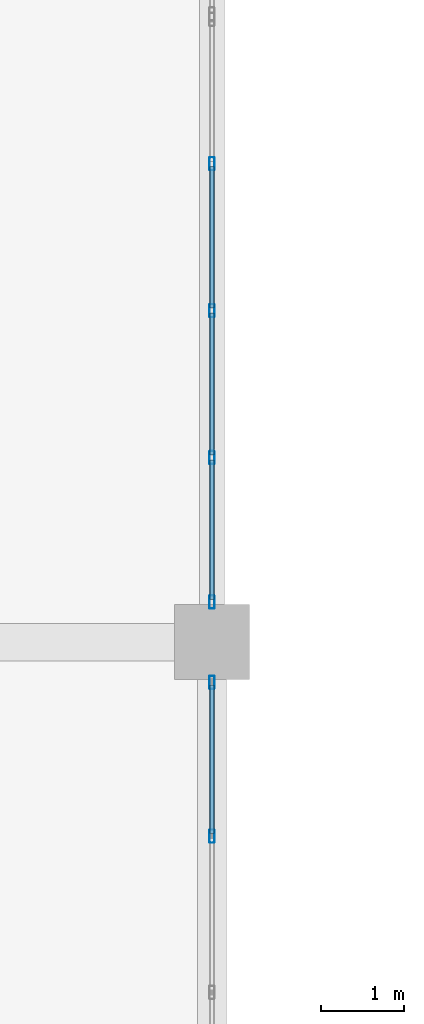
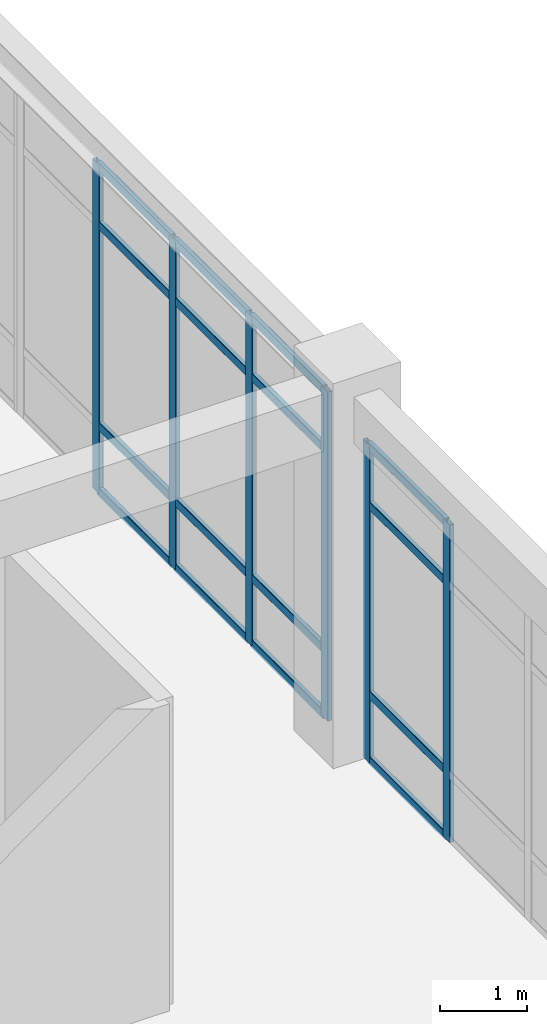
# One storey, part 65 of 114: 22 members, 2 elements without a shape of their own.
"""IFC4 building model written with IfcOpenShell, lengths in metres."""

import ifcopenshell
import ifcopenshell.guid

model = None  # the IFC model being written
_history = None  # IfcOwnerHistory: only IFC2X3 demands one
_inside = {}  # id of a spatial element -> (the spatial element, [elements in it])
_under = {}  # id of a project, library or spatial element -> (it, [spatial elements below it])
_declared = {}  # id of a project -> (the project, [libraries it declares])
_typed = {}  # id of a type object -> (the type object, [elements of that type])
_made_of = {}  # id of a material, layer set ... -> (it, [elements and type objects made of it])


def new_model(schema):
    """Start an empty IFC model of exactly this schema.

    Asked for "IFC4X3", IfcOpenShell would pick the latest addendum, in which some entities
    have other attributes; the version numbers below select the first issue.
    IFC2X3 requires an IfcOwnerHistory on every rooted entity: one is made here for all.
    """
    global model, _history
    if schema == "IFC4X3":
        model = ifcopenshell.file(schema_version=(4, 3, 0, 0))
    else:
        model = ifcopenshell.file(schema=schema)
    _inside.clear()
    _under.clear()
    _declared.clear()
    _typed.clear()
    _made_of.clear()
    _history = None
    if model.schema == "IFC2X3":
        org = make("IfcOrganization", Name="unknown")
        user = make(
            "IfcPersonAndOrganization",
            ThePerson=make("IfcPerson", FamilyName="unknown"),
            TheOrganization=org,
        )
        app = make(
            "IfcApplication",
            ApplicationDeveloper=org,
            Version="unknown",
            ApplicationFullName="unknown",
            ApplicationIdentifier="unknown",
        )
        _history = make(
            "IfcOwnerHistory",
            OwningUser=user,
            OwningApplication=app,
            ChangeAction="ADDED",
            CreationDate=0,
        )
    return model


def make(cls, **values):
    """One entity of the class cls with the attributes given. An attribute that is None is left unset."""
    return model.create_entity(
        cls, **{name: value for name, value in values.items() if value is not None}
    )


def rooted(cls, **values):
    """An entity with a GlobalId (a new one), such as an element, a storey or a relation."""
    return make(cls, GlobalId=ifcopenshell.guid.new(), OwnerHistory=_history, **values)


def si_unit(unit_type, name, prefix=None):
    """IfcSIUnit, for example si_unit("LENGTHUNIT", "METRE", prefix="MILLI")."""
    return make("IfcSIUnit", UnitType=unit_type, Prefix=prefix, Name=name)


def derived_unit(unit_type, elements):
    """IfcDerivedUnit: a product of units, each with its exponent."""
    return make(
        "IfcDerivedUnit",
        Elements=[
            make("IfcDerivedUnitElement", Unit=unit, Exponent=power)
            for unit, power in elements
        ],
        UnitType=unit_type,
    )


def assignment(units):
    """IfcUnitAssignment: the units of a project."""
    return None if units is None else make("IfcUnitAssignment", Units=units)


def point(xyz):
    """IfcCartesianPoint."""
    return None if xyz is None else make("IfcCartesianPoint", Coordinates=xyz)


def direction(xyz):
    """IfcDirection."""
    return None if xyz is None else make("IfcDirection", DirectionRatios=xyz)


def frame(location, z_axis=None, x_axis=None):
    """IfcAxis2Placement3D, a coordinate frame: its origin and axes. An axis left out is left unset."""
    return make(
        "IfcAxis2Placement3D",
        Location=point(location),
        Axis=direction(z_axis),
        RefDirection=direction(x_axis),
    )


def frame_2d(location, x_axis=None):
    """IfcAxis2Placement2D, a coordinate frame in the plane: its origin and x axis."""
    return make(
        "IfcAxis2Placement2D", Location=point(location), RefDirection=direction(x_axis)
    )


def origin():
    """The frame at (0, 0, 0) with its axes left unset."""
    return frame((0.0, 0.0, 0.0))


def origin_2d():
    """The frame at (0, 0) in the plane with its x axis left unset."""
    return frame_2d((0.0, 0.0))


def place(relative_to, where):
    """IfcLocalPlacement: puts the frame where relative to a parent placement (None: the world)."""
    return make(
        "IfcLocalPlacement", PlacementRelTo=relative_to, RelativePlacement=where
    )


def context(
    kind, dimensions, precision=None, world=None, true_north=None, identifier=None
):
    """IfcGeometricRepresentationContext, for example the 3D "Model" context."""
    return make(
        "IfcGeometricRepresentationContext",
        ContextIdentifier=identifier,
        ContextType=kind,
        CoordinateSpaceDimension=dimensions,
        Precision=precision,
        WorldCoordinateSystem=world,
        TrueNorth=true_north,
    )


def subcontext(parent, identifier, kind, view, scale=None):
    """IfcGeometricRepresentationSubContext, for example "Body" below "Model"."""
    return make(
        "IfcGeometricRepresentationSubContext",
        ContextIdentifier=identifier,
        ContextType=kind,
        ParentContext=parent,
        TargetScale=scale,
        TargetView=view,
    )


def project(units=None, contexts=None):
    """IfcProject with its units and contexts."""
    return rooted(
        "IfcProject",
        Name="project",
        RepresentationContexts=contexts,
        UnitsInContext=assignment(units),
    )


def spatial(cls, under=None, at=None, **own):
    """A site, building, storey or space (cls), placed at a placement, below another one or the project."""
    s = rooted(cls, ObjectPlacement=at, **own)
    if under is not None:
        _under.setdefault(under.id(), (under, []))[1].append(s)
    return s


def profile(cls, at=None, kind="AREA", **sizes):
    """A parametric profile (cls). Its sizes go by their IFC names, for example OverallWidth=200.0."""
    return make(cls, ProfileType=kind, Position=at, **sizes)


def hollow_rectangle(**sizes):
    """IfcRectangleHollowProfileDef."""
    return profile("IfcRectangleHollowProfileDef", **sizes)


def extrude(swept, where, along, depth):
    """IfcExtrudedAreaSolid: the profile swept, set in the frame where, extruded along a direction by depth."""
    return make(
        "IfcExtrudedAreaSolid",
        SweptArea=swept,
        Position=where,
        ExtrudedDirection=direction(along),
        Depth=depth,
    )


def shape(context_of_items, identifier, shape_type, items):
    """IfcShapeRepresentation: the items that make up one representation, for example the "Body"."""
    return make(
        "IfcShapeRepresentation",
        ContextOfItems=context_of_items,
        RepresentationIdentifier=identifier,
        RepresentationType=shape_type,
        Items=items,
    )


def material(Name=None, Category=None):
    """IfcMaterial."""
    return make("IfcMaterial", Name=Name, Category=Category)


def layer(
    of_material, thickness, ventilated=None, Name=None, Category=None, Priority=None
):
    """IfcMaterialLayer: one layer of a wall or slab, of a material (None: an air gap)."""
    return make(
        "IfcMaterialLayer",
        Material=of_material,
        LayerThickness=thickness,
        IsVentilated=ventilated,
        Name=Name,
        Category=Category,
        Priority=Priority,
    )


def layer_set(layers, Name=None):
    """IfcMaterialLayerSet."""
    return make("IfcMaterialLayerSet", MaterialLayers=layers, LayerSetName=Name)


def material_profile(
    of_material, cross_section, Name=None, Category=None, Priority=None
):
    """IfcMaterialProfile: a cross section and its material."""
    return make(
        "IfcMaterialProfile",
        Name=Name,
        Material=of_material,
        Profile=cross_section,
        Priority=Priority,
        Category=Category,
    )


def profile_set(profiles, Name=None, composite=None):
    """IfcMaterialProfileSet."""
    return make(
        "IfcMaterialProfileSet",
        Name=Name,
        MaterialProfiles=profiles,
        CompositeProfile=composite,
    )


def made_of(thing, what):
    """Note that an element or type object is made of a material, layer set ...; save() writes the relation."""
    if what is not None:
        _made_of.setdefault(what.id(), (what, []))[1].append(thing)
    return thing


def type_object(cls, material=None, **own):
    """A type object (cls), such as IfcWallType, which elements share."""
    return made_of(rooted(cls, **own), material)


def element(
    cls,
    number,
    at=None,
    inside=None,
    cuts=None,
    type_object=None,
    material=None,
    context=None,
    identifier="Body",
    shape_type=None,
    held_by="IfcProductDefinitionShape",
    body=None,
    shapes=None,
    **own,
):
    """One element of the class cls, such as IfcWall. Its Tag is "e" and its number.

    at: its placement. inside: the storey or other place that contains it. cuts: it is an
    opening in that element (IfcRelVoidsElement). A single representation is given by context,
    identifier, shape_type and body (its items); several are given by shapes. held_by: the class
    of the entity that holds the representations. save() writes the other relations.
    """
    e = rooted(cls, Tag="e%d" % number, ObjectPlacement=at, **own)
    if body is not None:
        shapes = [shape(context, identifier, shape_type, body)]
    if shapes is not None:
        e.Representation = make(held_by, Representations=shapes)
    if inside is not None:
        _inside.setdefault(inside.id(), (inside, []))[1].append(e)
    if cuts is not None:
        rooted(
            "IfcRelVoidsElement", RelatingBuildingElement=cuts, RelatedOpeningElement=e
        )
    if type_object is not None:
        _typed.setdefault(type_object.id(), (type_object, []))[1].append(e)
    return made_of(e, material)


def aggregate(whole, parts):
    """IfcRelAggregates: a whole, such as a stair, and the parts it consists of."""
    return rooted("IfcRelAggregates", RelatingObject=whole, RelatedObjects=parts)


def save(model, path):
    """Write the relations noted so far, then the file.

    IfcRelAggregates (storeys below a building ...), IfcRelContainedInSpatialStructure (elements
    in a storey), IfcRelDefinesByType, IfcRelAssociatesMaterial and IfcRelDeclares: one each for
    every whole, place, type object, material and project.
    """
    for whole, parts in _under.values():
        aggregate(whole, parts)
    for where, things in _inside.values():
        rooted(
            "IfcRelContainedInSpatialStructure",
            RelatedElements=things,
            RelatingStructure=where,
        )
    for kind, things in _typed.values():
        rooted("IfcRelDefinesByType", RelatedObjects=things, RelatingType=kind)
    for what, things in _made_of.values():
        rooted("IfcRelAssociatesMaterial", RelatedObjects=things, RelatingMaterial=what)
    for by, libraries in _declared.values():
        rooted("IfcRelDeclares", RelatingContext=by, RelatedDefinitions=libraries)
    model.write(path)


model = new_model("IFC4")

# Units and contexts
model_context = context("Model", 3, precision=1e-05, world=origin(), true_north=direction((0.0, 1.0)))
body_context = subcontext(model_context, "Body", "Model", "MODEL_VIEW")
ifc_project = project(units=[si_unit("LENGTHUNIT", "METRE"), si_unit("AREAUNIT", "SQUARE_METRE"), si_unit("VOLUMEUNIT", "CUBIC_METRE"), si_unit("PLANEANGLEUNIT", "RADIAN"), si_unit("MASSUNIT", "GRAM", prefix="KILO"), derived_unit("THERMALTRANSMITTANCEUNIT", [(si_unit("MASSUNIT", "GRAM", prefix="KILO"), 1), (si_unit("TIMEUNIT", "SECOND"), -3), (si_unit("THERMODYNAMICTEMPERATUREUNIT", "KELVIN"), -1)])], contexts=[model_context])

# Site, building, storey
site_placement = place(None, origin())
site = spatial("IfcSite", under=ifc_project, at=site_placement, CompositionType="ELEMENT")
building_placement = place(site_placement, origin())
building = spatial("IfcBuilding", under=site, at=building_placement, Name="Qinzheling Arcade Emporium", CompositionType="ELEMENT")
storey_placement = place(building_placement, frame((0.0, 0.0, 6.0)))
storey = spatial("IfcBuildingStorey", under=building, at=storey_placement, Name="L02", CompositionType="ELEMENT", Elevation=6.0)

# Curtain wall, members
ifc_material_1 = material(Name="Anodised aluminium and solar-control double glazing", Category="aluminium")
ifc_layer = layer(ifc_material_1, 0.159912109375, Name="Anodised aluminium and solar-control double glazing", Category="aluminium")
ifc_layer_set = layer_set([ifc_layer], Name="Anodised aluminium and solar-control double glazing")
curtain_wall_type = type_object("IfcCurtainWallType", Name="Arcade Portal Glazed Curtain Wall", PredefinedType="NOTDEFINED", material=ifc_layer_set)
curtain_wall_1_placement = place(storey_placement, origin())
curtain_wall_1 = element("IfcCurtainWall", 1, at=curtain_wall_1_placement, inside=storey, type_object=curtain_wall_type, Name="Curtain Wall CW-L02-124", PredefinedType="NOTDEFINED")
ifc_material_2 = material(Name="Anodised aluminium 6063-T6", Category="aluminium")
ifc_material_profile_1 = material_profile(ifc_material_2, hollow_rectangle(XDim=0.06005859375, YDim=0.159912109375, WallThickness=0.00390625, InnerFilletRadius=0.00390625, OuterFilletRadius=0.008056640625, at=origin_2d()), Name="RHS 160x60x4", Category="aluminium")
ifc_profile_set_1 = profile_set([ifc_material_profile_1], Name="Anodised aluminium 6063-T6")
member_type_1 = type_object("IfcMemberType", Name="Curtain Wall Mullion RHS160x60", PredefinedType="MULLION", material=ifc_profile_set_1)
member_1_placement = place(storey_placement, frame((130.5, 56.136474609375, 0.0), z_axis=(0.0, 0.0, 1.0), x_axis=(1.0, 0.0, 0.0)))
member_1 = element("IfcMember", 2, at=member_1_placement, type_object=member_type_1, Name="CW05 mullion 2", PredefinedType="MULLION", context=body_context, shape_type="SweptSolid", body=[
    extrude(hollow_rectangle(XDim=0.06005859375, YDim=0.159912109375, WallThickness=0.00390625, InnerFilletRadius=0.00390625, OuterFilletRadius=0.008056640625, at=origin_2d()), origin(), (0.0, 0.0, 1.0), 4.616943359375),
])
member_2_placement = place(storey_placement, frame((130.5, 54.375, 0.0), z_axis=(0.0, 0.0, 1.0), x_axis=(1.0, 0.0, 0.0)))
member_2 = element("IfcMember", 3, at=member_2_placement, type_object=member_type_1, Name="CW05 mullion 3", PredefinedType="MULLION", context=body_context, shape_type="SweptSolid", body=[
    extrude(hollow_rectangle(XDim=0.06005859375, YDim=0.159912109375, WallThickness=0.00390625, InnerFilletRadius=0.00390625, OuterFilletRadius=0.008056640625, at=origin_2d()), origin(), (0.0, 0.0, 1.0), 4.616943359375),
])
member_3_placement = place(storey_placement, frame((130.5, 52.613525390625, 0.0), z_axis=(0.0, 0.0, 1.0), x_axis=(1.0, 0.0, 0.0)))
member_3 = element("IfcMember", 4, at=member_3_placement, type_object=member_type_1, Name="CW05 mullion 4", PredefinedType="MULLION", context=body_context, shape_type="SweptSolid", body=[
    extrude(hollow_rectangle(XDim=0.06005859375, YDim=0.159912109375, WallThickness=0.00390625, InnerFilletRadius=0.00390625, OuterFilletRadius=0.008056640625, at=origin_2d()), origin(), (0.0, 0.0, 1.0), 4.616943359375),
])
member_4_placement = place(storey_placement, frame((130.5, 50.882080078125, 0.0), z_axis=(0.0, 0.0, 1.0), x_axis=(1.0, 0.0, 0.0)))
member_4 = element("IfcMember", 5, at=member_4_placement, type_object=member_type_1, Name="CW05 mullion 5", PredefinedType="MULLION", context=body_context, shape_type="SweptSolid", body=[
    extrude(hollow_rectangle(XDim=0.06005859375, YDim=0.159912109375, WallThickness=0.00390625, InnerFilletRadius=0.00390625, OuterFilletRadius=0.008056640625, at=origin_2d()), origin(), (0.0, 0.0, 1.0), 4.616943359375),
])

curtain_wall_2_placement = place(storey_placement, origin())
curtain_wall_2 = element("IfcCurtainWall", 6, at=curtain_wall_2_placement, inside=storey, type_object=curtain_wall_type, Name="Curtain Wall CW-L02-125", PredefinedType="NOTDEFINED")
member_5_placement = place(storey_placement, frame((130.5, 49.91796875, 0.0), z_axis=(0.0, 0.0, 1.0), x_axis=(1.0, 0.0, 0.0)))
member_5 = element("IfcMember", 7, at=member_5_placement, type_object=member_type_1, Name="CW05 mullion 1", PredefinedType="MULLION", context=body_context, shape_type="SweptSolid", body=[
    extrude(hollow_rectangle(XDim=0.06005859375, YDim=0.159912109375, WallThickness=0.00390625, InnerFilletRadius=0.00390625, OuterFilletRadius=0.008056640625, at=origin_2d()), origin(), (0.0, 0.0, 1.0), 4.455078125),
])
member_6_placement = place(storey_placement, frame((130.5, 48.073974609375, 0.0), z_axis=(0.0, 0.0, 1.0), x_axis=(1.0, 0.0, 0.0)))
member_6 = element("IfcMember", 8, at=member_6_placement, type_object=member_type_1, Name="CW05 mullion 2", PredefinedType="MULLION", context=body_context, shape_type="SweptSolid", body=[
    extrude(hollow_rectangle(XDim=0.06005859375, YDim=0.159912109375, WallThickness=0.00390625, InnerFilletRadius=0.00390625, OuterFilletRadius=0.008056640625, at=origin_2d()), origin(), (0.0, 0.0, 1.0), 4.455078125),
])

# Member
ifc_material_profile_2 = material_profile(ifc_material_2, hollow_rectangle(XDim=0.06005859375, YDim=0.1201171875, WallThickness=0.00390625, InnerFilletRadius=0.00390625, OuterFilletRadius=0.008056640625, at=origin_2d()), Name="RHS 120x60x4", Category="aluminium")
ifc_profile_set_2 = profile_set([ifc_material_profile_2], Name="Anodised aluminium 6063-T6")
member_type_2 = type_object("IfcMemberType", Name="Curtain Wall Transom RHS120x60", PredefinedType="USERDEFINED", material=ifc_profile_set_2)
member_7_placement = place(storey_placement, frame((130.5, 56.1064453125, 0.030029296875), z_axis=(0.0, -1.0, 0.0), x_axis=(1.0, 0.0, 0.0)))
member_7 = element("IfcMember", 9, at=member_7_placement, type_object=member_type_2, Name="CW05 transom 2.1", ObjectType="TRANSOM", PredefinedType="USERDEFINED", context=body_context, shape_type="SweptSolid", body=[
    extrude(hollow_rectangle(XDim=0.06005859375, YDim=0.1201171875, WallThickness=0.00390625, InnerFilletRadius=0.00390625, OuterFilletRadius=0.008056640625, at=origin_2d()), origin(), (0.0, 0.0, 1.0), 1.701416015625),
])

member_8_placement = place(storey_placement, frame((130.5, 56.1064453125, 0.949951171875), z_axis=(0.0, -1.0, 0.0), x_axis=(1.0, 0.0, 0.0)))
member_8 = element("IfcMember", 10, at=member_8_placement, type_object=member_type_2, Name="CW05 transom 2.2", ObjectType="TRANSOM", PredefinedType="USERDEFINED", context=body_context, shape_type="SweptSolid", body=[
    extrude(hollow_rectangle(XDim=0.06005859375, YDim=0.1201171875, WallThickness=0.00390625, InnerFilletRadius=0.00390625, OuterFilletRadius=0.008056640625, at=origin_2d()), origin(), (0.0, 0.0, 1.0), 1.701416015625),
])

member_9_placement = place(storey_placement, frame((130.5, 56.1064453125, 3.76708984375), z_axis=(0.0, -1.0, 0.0), x_axis=(1.0, 0.0, 0.0)))
member_9 = element("IfcMember", 11, at=member_9_placement, type_object=member_type_2, Name="CW05 transom 2.3", ObjectType="TRANSOM", PredefinedType="USERDEFINED", context=body_context, shape_type="SweptSolid", body=[
    extrude(hollow_rectangle(XDim=0.06005859375, YDim=0.1201171875, WallThickness=0.00390625, InnerFilletRadius=0.00390625, OuterFilletRadius=0.008056640625, at=origin_2d()), origin(), (0.0, 0.0, 1.0), 1.701416015625),
])

member_10_placement = place(storey_placement, frame((130.5, 56.1064453125, 4.5869140625), z_axis=(0.0, -1.0, 0.0), x_axis=(1.0, 0.0, 0.0)))
member_10 = element("IfcMember", 12, at=member_10_placement, type_object=member_type_2, Name="CW05 transom 2.4", ObjectType="TRANSOM", PredefinedType="USERDEFINED", context=body_context, shape_type="SweptSolid", body=[
    extrude(hollow_rectangle(XDim=0.06005859375, YDim=0.1201171875, WallThickness=0.00390625, InnerFilletRadius=0.00390625, OuterFilletRadius=0.008056640625, at=origin_2d()), origin(), (0.0, 0.0, 1.0), 1.701416015625),
])

member_11_placement = place(storey_placement, frame((130.5, 54.344970703125, 0.030029296875), z_axis=(0.0, -1.0, 0.0), x_axis=(1.0, 0.0, 0.0)))
member_11 = element("IfcMember", 13, at=member_11_placement, type_object=member_type_2, Name="CW05 transom 3.1", ObjectType="TRANSOM", PredefinedType="USERDEFINED", context=body_context, shape_type="SweptSolid", body=[
    extrude(hollow_rectangle(XDim=0.06005859375, YDim=0.1201171875, WallThickness=0.00390625, InnerFilletRadius=0.00390625, OuterFilletRadius=0.008056640625, at=origin_2d()), origin(), (0.0, 0.0, 1.0), 1.701416015625),
])

member_12_placement = place(storey_placement, frame((130.5, 54.344970703125, 0.949951171875), z_axis=(0.0, -1.0, 0.0), x_axis=(1.0, 0.0, 0.0)))
member_12 = element("IfcMember", 14, at=member_12_placement, type_object=member_type_2, Name="CW05 transom 3.2", ObjectType="TRANSOM", PredefinedType="USERDEFINED", context=body_context, shape_type="SweptSolid", body=[
    extrude(hollow_rectangle(XDim=0.06005859375, YDim=0.1201171875, WallThickness=0.00390625, InnerFilletRadius=0.00390625, OuterFilletRadius=0.008056640625, at=origin_2d()), origin(), (0.0, 0.0, 1.0), 1.701416015625),
])

member_13_placement = place(storey_placement, frame((130.5, 54.344970703125, 3.76708984375), z_axis=(0.0, -1.0, 0.0), x_axis=(1.0, 0.0, 0.0)))
member_13 = element("IfcMember", 15, at=member_13_placement, type_object=member_type_2, Name="CW05 transom 3.3", ObjectType="TRANSOM", PredefinedType="USERDEFINED", context=body_context, shape_type="SweptSolid", body=[
    extrude(hollow_rectangle(XDim=0.06005859375, YDim=0.1201171875, WallThickness=0.00390625, InnerFilletRadius=0.00390625, OuterFilletRadius=0.008056640625, at=origin_2d()), origin(), (0.0, 0.0, 1.0), 1.701416015625),
])

member_14_placement = place(storey_placement, frame((130.5, 54.344970703125, 4.5869140625), z_axis=(0.0, -1.0, 0.0), x_axis=(1.0, 0.0, 0.0)))
member_14 = element("IfcMember", 16, at=member_14_placement, type_object=member_type_2, Name="CW05 transom 3.4", ObjectType="TRANSOM", PredefinedType="USERDEFINED", context=body_context, shape_type="SweptSolid", body=[
    extrude(hollow_rectangle(XDim=0.06005859375, YDim=0.1201171875, WallThickness=0.00390625, InnerFilletRadius=0.00390625, OuterFilletRadius=0.008056640625, at=origin_2d()), origin(), (0.0, 0.0, 1.0), 1.701416015625),
])

member_15_placement = place(storey_placement, frame((130.5, 52.58349609375, 0.030029296875), z_axis=(0.0, -1.0, 0.0), x_axis=(1.0, 0.0, 0.0)))
member_15 = element("IfcMember", 17, at=member_15_placement, type_object=member_type_2, Name="CW05 transom 4.1", ObjectType="TRANSOM", PredefinedType="USERDEFINED", context=body_context, shape_type="SweptSolid", body=[
    extrude(hollow_rectangle(XDim=0.06005859375, YDim=0.1201171875, WallThickness=0.00390625, InnerFilletRadius=0.00390625, OuterFilletRadius=0.008056640625, at=origin_2d()), origin(), (0.0, 0.0, 1.0), 1.67138671875),
])

member_16_placement = place(storey_placement, frame((130.5, 52.58349609375, 0.949951171875), z_axis=(0.0, -1.0, 0.0), x_axis=(1.0, 0.0, 0.0)))
member_16 = element("IfcMember", 18, at=member_16_placement, type_object=member_type_2, Name="CW05 transom 4.2", ObjectType="TRANSOM", PredefinedType="USERDEFINED", context=body_context, shape_type="SweptSolid", body=[
    extrude(hollow_rectangle(XDim=0.06005859375, YDim=0.1201171875, WallThickness=0.00390625, InnerFilletRadius=0.00390625, OuterFilletRadius=0.008056640625, at=origin_2d()), origin(), (0.0, 0.0, 1.0), 1.67138671875),
])

member_17_placement = place(storey_placement, frame((130.5, 52.58349609375, 3.76708984375), z_axis=(0.0, -1.0, 0.0), x_axis=(1.0, 0.0, 0.0)))
member_17 = element("IfcMember", 19, at=member_17_placement, type_object=member_type_2, Name="CW05 transom 4.3", ObjectType="TRANSOM", PredefinedType="USERDEFINED", context=body_context, shape_type="SweptSolid", body=[
    extrude(hollow_rectangle(XDim=0.06005859375, YDim=0.1201171875, WallThickness=0.00390625, InnerFilletRadius=0.00390625, OuterFilletRadius=0.008056640625, at=origin_2d()), origin(), (0.0, 0.0, 1.0), 1.67138671875),
])

member_18_placement = place(storey_placement, frame((130.5, 52.58349609375, 4.5869140625), z_axis=(0.0, -1.0, 0.0), x_axis=(1.0, 0.0, 0.0)))
member_18 = element("IfcMember", 20, at=member_18_placement, type_object=member_type_2, Name="CW05 transom 4.4", ObjectType="TRANSOM", PredefinedType="USERDEFINED", context=body_context, shape_type="SweptSolid", body=[
    extrude(hollow_rectangle(XDim=0.06005859375, YDim=0.1201171875, WallThickness=0.00390625, InnerFilletRadius=0.00390625, OuterFilletRadius=0.008056640625, at=origin_2d()), origin(), (0.0, 0.0, 1.0), 1.67138671875),
])

aggregate(curtain_wall_1, [member_1, member_2, member_3, member_4, member_7, member_8, member_9, member_10, member_11, member_12, member_13, member_14, member_15, member_16, member_17, member_18])

member_19_placement = place(storey_placement, frame((130.5, 49.887939453125, 0.030029296875), z_axis=(0.0, -1.0, 0.0), x_axis=(1.0, 0.0, 0.0)))
member_19 = element("IfcMember", 21, at=member_19_placement, type_object=member_type_2, Name="CW05 transom 1.1", ObjectType="TRANSOM", PredefinedType="USERDEFINED", context=body_context, shape_type="SweptSolid", body=[
    extrude(hollow_rectangle(XDim=0.06005859375, YDim=0.1201171875, WallThickness=0.00390625, InnerFilletRadius=0.00390625, OuterFilletRadius=0.008056640625, at=origin_2d()), origin(), (0.0, 0.0, 1.0), 1.783935546875),
])

member_20_placement = place(storey_placement, frame((130.5, 49.887939453125, 0.949951171875), z_axis=(0.0, -1.0, 0.0), x_axis=(1.0, 0.0, 0.0)))
member_20 = element("IfcMember", 22, at=member_20_placement, type_object=member_type_2, Name="CW05 transom 1.2", ObjectType="TRANSOM", PredefinedType="USERDEFINED", context=body_context, shape_type="SweptSolid", body=[
    extrude(hollow_rectangle(XDim=0.06005859375, YDim=0.1201171875, WallThickness=0.00390625, InnerFilletRadius=0.00390625, OuterFilletRadius=0.008056640625, at=origin_2d()), origin(), (0.0, 0.0, 1.0), 1.783935546875),
])

member_21_placement = place(storey_placement, frame((130.5, 49.887939453125, 3.60498046875), z_axis=(0.0, -1.0, 0.0), x_axis=(1.0, 0.0, 0.0)))
member_21 = element("IfcMember", 23, at=member_21_placement, type_object=member_type_2, Name="CW05 transom 1.3", ObjectType="TRANSOM", PredefinedType="USERDEFINED", context=body_context, shape_type="SweptSolid", body=[
    extrude(hollow_rectangle(XDim=0.06005859375, YDim=0.1201171875, WallThickness=0.00390625, InnerFilletRadius=0.00390625, OuterFilletRadius=0.008056640625, at=origin_2d()), origin(), (0.0, 0.0, 1.0), 1.783935546875),
])

member_22_placement = place(storey_placement, frame((130.5, 49.887939453125, 4.425048828125), z_axis=(0.0, -1.0, 0.0), x_axis=(1.0, 0.0, 0.0)))
member_22 = element("IfcMember", 24, at=member_22_placement, type_object=member_type_2, Name="CW05 transom 1.4", ObjectType="TRANSOM", PredefinedType="USERDEFINED", context=body_context, shape_type="SweptSolid", body=[
    extrude(hollow_rectangle(XDim=0.06005859375, YDim=0.1201171875, WallThickness=0.00390625, InnerFilletRadius=0.00390625, OuterFilletRadius=0.008056640625, at=origin_2d()), origin(), (0.0, 0.0, 1.0), 1.783935546875),
])

aggregate(curtain_wall_2, [member_5, member_6, member_19, member_20, member_21, member_22])

save(model, "model.ifc")
